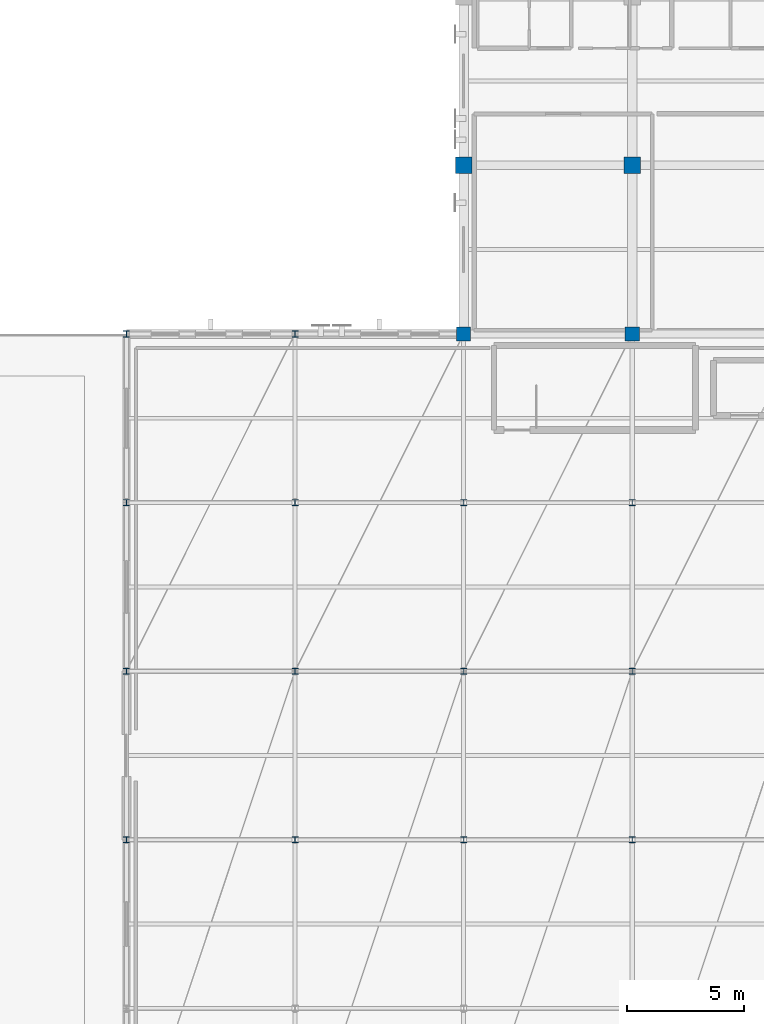
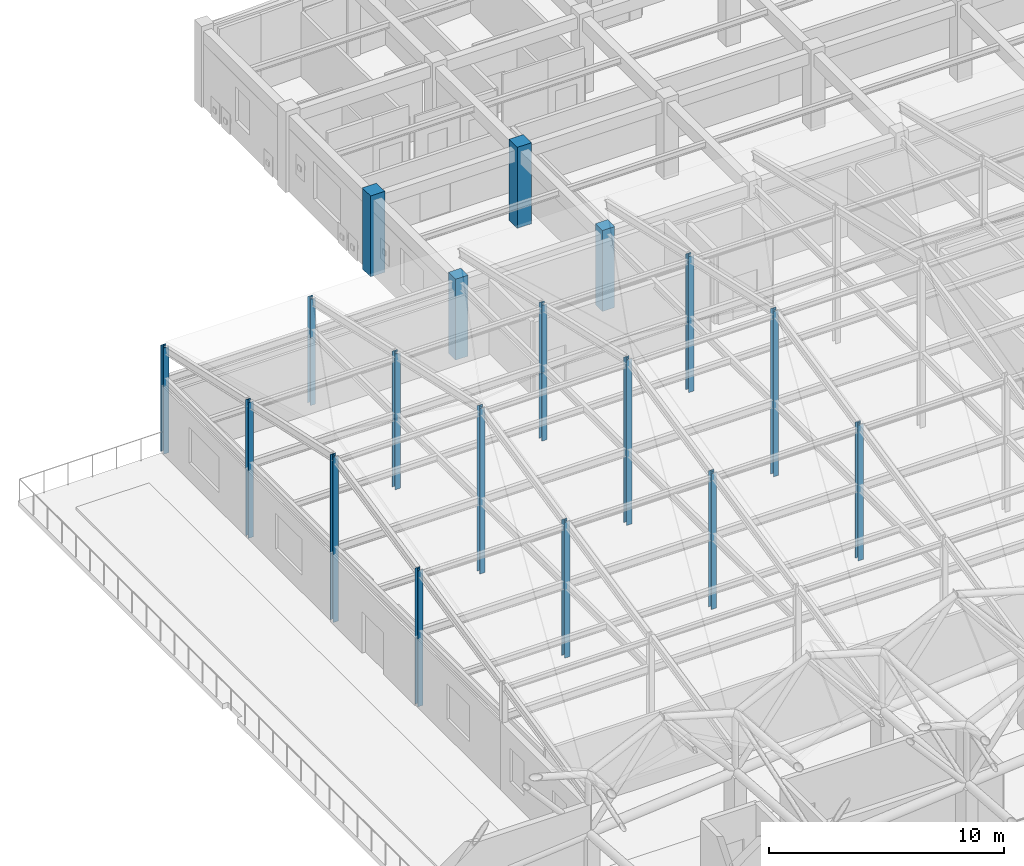
# One storey, part 6 of 113: 18 columns.
"""IFC4 building model written with IfcOpenShell, lengths in metres."""

from ifc_helpers import new_model, si_unit, direction, frame, origin, origin_2d, place, context, subcontext, project, spatial, rectangle, i_section, extrude, material, material_profile, profile_set, type_object, element, save


model = new_model("IFC4")

# Units and contexts
model_context = context("Model", 3, precision=1e-05, world=origin(), true_north=direction((0.0, 1.0)))
body_context = subcontext(model_context, "Body", "Model", "MODEL_VIEW")
ifc_project = project(units=[si_unit("LENGTHUNIT", "METRE"), si_unit("AREAUNIT", "SQUARE_METRE"), si_unit("VOLUMEUNIT", "CUBIC_METRE"), si_unit("PLANEANGLEUNIT", "RADIAN"), si_unit("MASSUNIT", "GRAM", prefix="KILO")], contexts=[model_context])

# Site, building, storey
site_placement = place(None, origin())
site = spatial("IfcSite", under=ifc_project, at=site_placement, CompositionType="ELEMENT")
building_placement = place(site_placement, origin())
building = spatial("IfcBuilding", under=site, at=building_placement, Name="Carrowvane Square Congress Hotel", CompositionType="ELEMENT")
storey_placement = place(building_placement, frame((0.0, 0.0, 15.0)))
storey = spatial("IfcBuildingStorey", under=building, at=storey_placement, Name="L03", CompositionType="ELEMENT", Elevation=15.0)

# Columns
ifc_material_1 = material(Name="Concrete C40/50", Category="concrete")
ifc_material_profile_1 = material_profile(ifc_material_1, rectangle(XDim=0.60009765625, YDim=0.60009765625, at=origin_2d()), Name="RC 600x600")
ifc_profile_set_1 = profile_set([ifc_material_profile_1], Name="Concrete C40/50")
column_type_1 = type_object("IfcColumnType", Name="COL-RC-600", PredefinedType="COLUMN", material=ifc_profile_set_1)
for number, where, z_axis, x_axis, name in (
    (1, (33.199951171875, 91.800048828125, 0.0), (0.0, 0.0, 1.0), (1.0, 0.0, 0.0), "L03 column 4/N"),
    (2, (40.39990234375, 91.800048828125, 0.0), (0.0, 0.0, 1.0), (1.0, 0.0, 0.0), "L03 column 5/N"),
):
    element("IfcColumn", number, at=place(storey_placement, frame(where, z_axis=z_axis, x_axis=x_axis)), inside=storey, type_object=column_type_1, Name=name, PredefinedType="COLUMN", context=body_context, shape_type="SweptSolid", body=[
        extrude(rectangle(XDim=0.60009765625, YDim=0.60009765625, at=origin_2d()), origin(), (0.0, 0.0, 1.0), 4.199951171875),
    ])
ifc_material_2 = material(Name="Concrete C40/50", Category="concrete")
ifc_material_profile_2 = material_profile(ifc_material_2, rectangle(XDim=0.699951171875, YDim=0.699951171875, at=origin_2d()), Name="RC 700x700")
ifc_profile_set_2 = profile_set([ifc_material_profile_2], Name="Concrete C40/50")
column_type_2 = type_object("IfcColumnType", Name="COL-RC-700", PredefinedType="COLUMN", material=ifc_profile_set_2)
for number, where, z_axis, x_axis, name in (
    (3, (33.199951171875, 99.0, 0.0), (0.0, 0.0, 1.0), (1.0, 0.0, 0.0), "L03 column 4/P"),
    (4, (40.39990234375, 99.0, 0.0), (0.0, 0.0, 1.0), (1.0, 0.0, 0.0), "L03 column 5/P"),
):
    element("IfcColumn", number, at=place(storey_placement, frame(where, z_axis=z_axis, x_axis=x_axis)), inside=storey, type_object=column_type_2, Name=name, PredefinedType="COLUMN", context=body_context, shape_type="SweptSolid", body=[
        extrude(rectangle(XDim=0.699951171875, YDim=0.699951171875, at=origin_2d()), origin(), (0.0, 0.0, 1.0), 4.199951171875),
    ])
ifc_material_3 = material(Name="Steel S355", Category="steel")
ifc_material_profile_3 = material_profile(ifc_material_3, i_section(OverallWidth=0.25634765625, OverallDepth=0.26025390625, WebThickness=0.01025390625, FlangeThickness=0.017333984375, FilletRadius=0.0126953125, at=origin_2d()), Name="UKC 254x254x89")
ifc_profile_set_3 = profile_set([ifc_material_profile_3], Name="Steel S355")
column_type_3 = type_object("IfcColumnType", Name="COL-ST-UKC254", PredefinedType="COLUMN", material=ifc_profile_set_3)
column_1_placement = place(storey_placement, frame((18.800048828125, 70.199951171875, 0.0), z_axis=(0.0, 0.0, 1.0), x_axis=(1.0, 0.0, 0.0)))
element("IfcColumn", 5, at=column_1_placement, inside=storey, type_object=column_type_3, Name="L03 column 2/K", PredefinedType="COLUMN", context=body_context, shape_type="SweptSolid", body=[
    extrude(i_section(OverallWidth=0.25634765625, OverallDepth=0.26025390625, WebThickness=0.01025390625, FlangeThickness=0.017333984375, FilletRadius=0.0126953125, at=origin_2d()), origin(), (0.0, 0.0, 1.0), 7.040771484375),
])
column_2_placement = place(storey_placement, frame((18.800048828125, 77.39990234375, 0.0), z_axis=(0.0, 0.0, 1.0), x_axis=(1.0, 0.0, 0.0)))
element("IfcColumn", 6, at=column_2_placement, inside=storey, type_object=column_type_3, Name="L03 column 2/L", PredefinedType="COLUMN", context=body_context, shape_type="SweptSolid", body=[
    extrude(i_section(OverallWidth=0.25634765625, OverallDepth=0.26025390625, WebThickness=0.01025390625, FlangeThickness=0.017333984375, FilletRadius=0.0126953125, at=origin_2d()), origin(), (0.0, 0.0, 1.0), 8.5712890625),
])
column_3_placement = place(storey_placement, frame((18.800048828125, 84.60009765625, 0.0), z_axis=(0.0, 0.0, 1.0), x_axis=(1.0, 0.0, 0.0)))
element("IfcColumn", 7, at=column_3_placement, inside=storey, type_object=column_type_3, Name="L03 column 2/M", PredefinedType="COLUMN", context=body_context, shape_type="SweptSolid", body=[
    extrude(i_section(OverallWidth=0.25634765625, OverallDepth=0.26025390625, WebThickness=0.01025390625, FlangeThickness=0.017333984375, FilletRadius=0.0126953125, at=origin_2d()), origin(), (0.0, 0.0, 1.0), 7.040771484375),
])
column_4_placement = place(storey_placement, frame((18.800048828125, 91.800048828125, 0.0), z_axis=(0.0, 0.0, 1.0), x_axis=(1.0, 0.0, 0.0)))
element("IfcColumn", 8, at=column_4_placement, inside=storey, type_object=column_type_3, Name="L03 column 2/N", PredefinedType="COLUMN", context=body_context, shape_type="SweptSolid", body=[
    extrude(i_section(OverallWidth=0.25634765625, OverallDepth=0.26025390625, WebThickness=0.01025390625, FlangeThickness=0.017333984375, FilletRadius=0.0126953125, at=origin_2d()), origin(), (0.0, 0.0, 1.0), 5.510498046875),
])
column_5_placement = place(storey_placement, frame((26.0, 70.199951171875, 0.0), z_axis=(0.0, 0.0, 1.0), x_axis=(1.0, 0.0, 0.0)))
element("IfcColumn", 9, at=column_5_placement, inside=storey, type_object=column_type_3, Name="L03 column 3/K", PredefinedType="COLUMN", context=body_context, shape_type="SweptSolid", body=[
    extrude(i_section(OverallWidth=0.25634765625, OverallDepth=0.26025390625, WebThickness=0.01025390625, FlangeThickness=0.017333984375, FilletRadius=0.0126953125, at=origin_2d()), origin(), (0.0, 0.0, 1.0), 7.040771484375),
])
column_6_placement = place(storey_placement, frame((26.0, 77.39990234375, 0.0), z_axis=(0.0, 0.0, 1.0), x_axis=(1.0, 0.0, 0.0)))
element("IfcColumn", 10, at=column_6_placement, inside=storey, type_object=column_type_3, Name="L03 column 3/L", PredefinedType="COLUMN", context=body_context, shape_type="SweptSolid", body=[
    extrude(i_section(OverallWidth=0.25634765625, OverallDepth=0.26025390625, WebThickness=0.01025390625, FlangeThickness=0.017333984375, FilletRadius=0.0126953125, at=origin_2d()), origin(), (0.0, 0.0, 1.0), 8.5712890625),
])
column_7_placement = place(storey_placement, frame((26.0, 84.60009765625, 0.0), z_axis=(0.0, 0.0, 1.0), x_axis=(1.0, 0.0, 0.0)))
element("IfcColumn", 11, at=column_7_placement, inside=storey, type_object=column_type_3, Name="L03 column 3/M", PredefinedType="COLUMN", context=body_context, shape_type="SweptSolid", body=[
    extrude(i_section(OverallWidth=0.25634765625, OverallDepth=0.26025390625, WebThickness=0.01025390625, FlangeThickness=0.017333984375, FilletRadius=0.0126953125, at=origin_2d()), origin(), (0.0, 0.0, 1.0), 7.040771484375),
])
column_8_placement = place(storey_placement, frame((26.0, 91.800048828125, 0.0), z_axis=(0.0, 0.0, 1.0), x_axis=(1.0, 0.0, 0.0)))
element("IfcColumn", 12, at=column_8_placement, inside=storey, type_object=column_type_3, Name="L03 column 3/N", PredefinedType="COLUMN", context=body_context, shape_type="SweptSolid", body=[
    extrude(i_section(OverallWidth=0.25634765625, OverallDepth=0.26025390625, WebThickness=0.01025390625, FlangeThickness=0.017333984375, FilletRadius=0.0126953125, at=origin_2d()), origin(), (0.0, 0.0, 1.0), 5.510498046875),
])
column_9_placement = place(storey_placement, frame((33.199951171875, 70.199951171875, 0.0), z_axis=(0.0, 0.0, 1.0), x_axis=(1.0, 0.0, 0.0)))
element("IfcColumn", 13, at=column_9_placement, inside=storey, type_object=column_type_3, Name="L03 column 4/K", PredefinedType="COLUMN", context=body_context, shape_type="SweptSolid", body=[
    extrude(i_section(OverallWidth=0.25634765625, OverallDepth=0.26025390625, WebThickness=0.01025390625, FlangeThickness=0.017333984375, FilletRadius=0.0126953125, at=origin_2d()), origin(), (0.0, 0.0, 1.0), 7.040771484375),
])
column_10_placement = place(storey_placement, frame((33.199951171875, 77.39990234375, 0.0), z_axis=(0.0, 0.0, 1.0), x_axis=(1.0, 0.0, 0.0)))
element("IfcColumn", 14, at=column_10_placement, inside=storey, type_object=column_type_3, Name="L03 column 4/L", PredefinedType="COLUMN", context=body_context, shape_type="SweptSolid", body=[
    extrude(i_section(OverallWidth=0.25634765625, OverallDepth=0.26025390625, WebThickness=0.01025390625, FlangeThickness=0.017333984375, FilletRadius=0.0126953125, at=origin_2d()), origin(), (0.0, 0.0, 1.0), 8.5712890625),
])
for number, where, z_axis, x_axis, name in (
    (15, (33.199951171875, 84.60009765625, 0.0), (0.0, 0.0, 1.0), (1.0, 0.0, 0.0), "L03 column 4/M"),
    (16, (40.39990234375, 70.199951171875, 0.0), (0.0, 0.0, 1.0), (1.0, 0.0, 0.0), "L03 column 5/K"),
):
    element("IfcColumn", number, at=place(storey_placement, frame(where, z_axis=z_axis, x_axis=x_axis)), inside=storey, type_object=column_type_3, Name=name, PredefinedType="COLUMN", context=body_context, shape_type="SweptSolid", body=[
        extrude(i_section(OverallWidth=0.25634765625, OverallDepth=0.26025390625, WebThickness=0.01025390625, FlangeThickness=0.017333984375, FilletRadius=0.0126953125, at=origin_2d()), origin(), (0.0, 0.0, 1.0), 7.040771484375),
    ])
column_11_placement = place(storey_placement, frame((40.39990234375, 77.39990234375, 0.0), z_axis=(0.0, 0.0, 1.0), x_axis=(1.0, 0.0, 0.0)))
element("IfcColumn", 17, at=column_11_placement, inside=storey, type_object=column_type_3, Name="L03 column 5/L", PredefinedType="COLUMN", context=body_context, shape_type="SweptSolid", body=[
    extrude(i_section(OverallWidth=0.25634765625, OverallDepth=0.26025390625, WebThickness=0.01025390625, FlangeThickness=0.017333984375, FilletRadius=0.0126953125, at=origin_2d()), origin(), (0.0, 0.0, 1.0), 8.5712890625),
])
column_12_placement = place(storey_placement, frame((40.39990234375, 84.60009765625, 0.0), z_axis=(0.0, 0.0, 1.0), x_axis=(1.0, 0.0, 0.0)))
element("IfcColumn", 18, at=column_12_placement, inside=storey, type_object=column_type_3, Name="L03 column 5/M", PredefinedType="COLUMN", context=body_context, shape_type="SweptSolid", body=[
    extrude(i_section(OverallWidth=0.25634765625, OverallDepth=0.26025390625, WebThickness=0.01025390625, FlangeThickness=0.017333984375, FilletRadius=0.0126953125, at=origin_2d()), origin(), (0.0, 0.0, 1.0), 7.040771484375),
])

save(model, "model.ifc")
